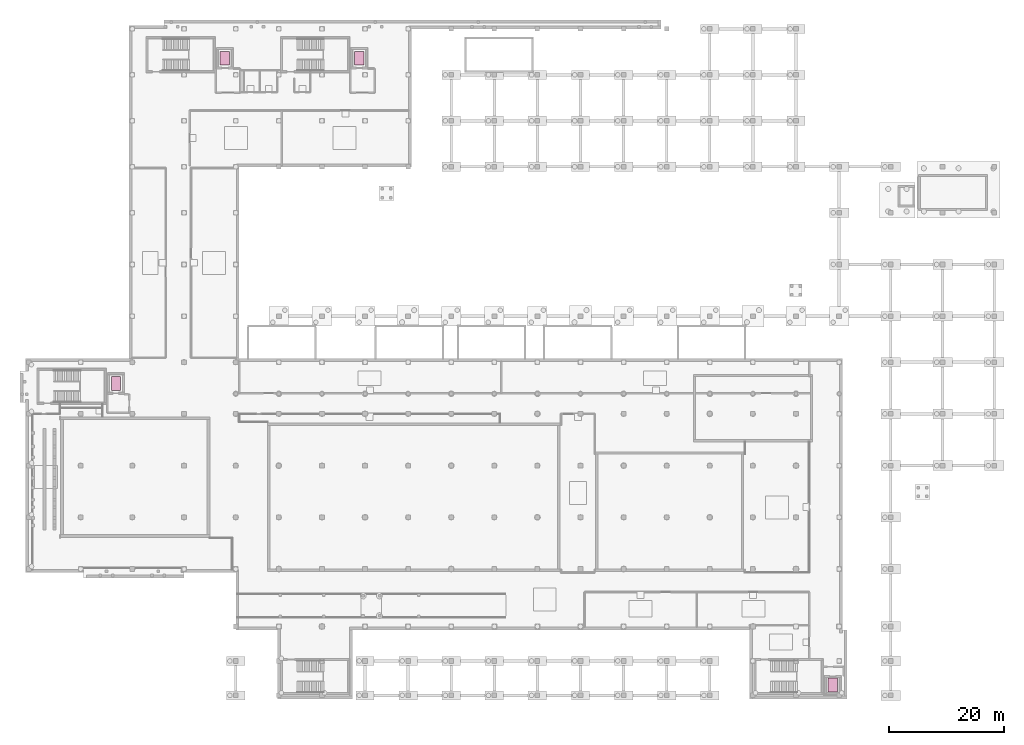
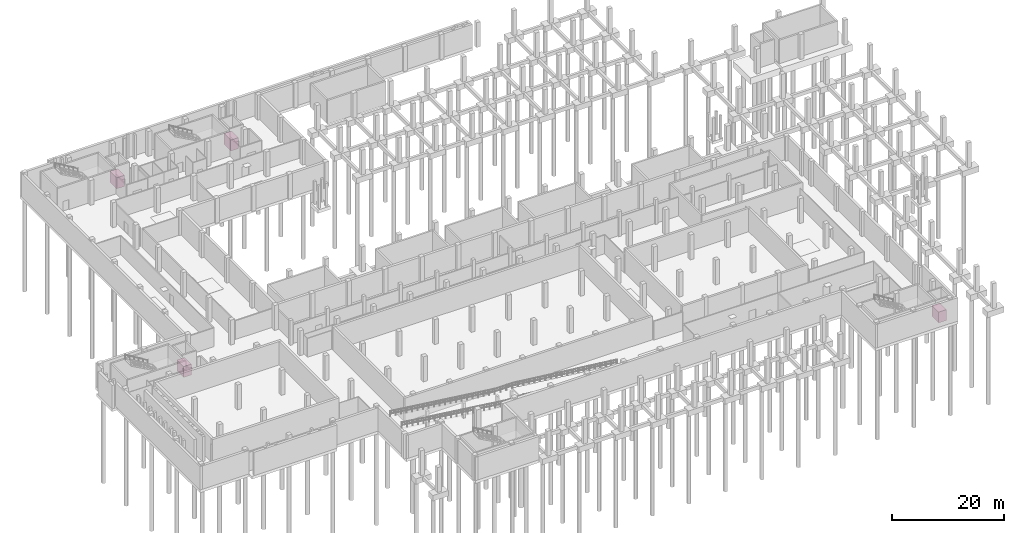
# One storey, part 19 of 19: 4 transport elements.
"""IFC4 building model written with IfcOpenShell, lengths in metres."""

from ifc_helpers import new_model, si_unit, direction, frame, origin, origin_2d, place, context, subcontext, project, spatial, rectangle, extrude, material, type_object, element, save


model = new_model("IFC4")

# Units and contexts
model_context = context("Model", 3, precision=1e-05, world=origin(), true_north=direction((0.0, 1.0)))
body_context = subcontext(model_context, "Body", "Model", "MODEL_VIEW")
ifc_project = project(units=[si_unit("LENGTHUNIT", "METRE"), si_unit("AREAUNIT", "SQUARE_METRE"), si_unit("VOLUMEUNIT", "CUBIC_METRE"), si_unit("PLANEANGLEUNIT", "RADIAN"), si_unit("MASSUNIT", "GRAM", prefix="KILO")], contexts=[model_context])

# Site, building, storey
site_placement = place(None, origin())
site = spatial("IfcSite", under=ifc_project, at=site_placement, CompositionType="ELEMENT")
building_placement = place(site_placement, origin())
building = spatial("IfcBuilding", under=site, at=building_placement, Name="Vourika Railside Aquatics Centre", CompositionType="ELEMENT")
storey_placement = place(building_placement, frame((0.0, 0.0, -5.39990234375)))
storey = spatial("IfcBuildingStorey", under=building, at=storey_placement, Name="B1", CompositionType="ELEMENT", Elevation=-5.39990234375)

# Transport elements
ifc_material = material(Name="Brushed stainless steel elevator car", Category="steel")
transport_element_type_1 = type_object("IfcTransportElementType", Name="LFT-FF-1600x2400", PredefinedType="ELEVATOR", material=ifc_material)
for number, where, z_axis, x_axis, name in (
    (1, (34.10009765625, 110.89990234375, 0.0), (0.0, 0.0, 1.0), (1.0, 0.0, 0.0), "Firefighting and Evacuation Lift LF01"),
    (2, (57.5, 110.89990234375, 0.0), (0.0, 0.0, 1.0), (1.0, 0.0, 0.0), "Firefighting and Evacuation Lift LF02"),
):
    element("IfcTransportElement", number, at=place(storey_placement, frame(where, z_axis=z_axis, x_axis=x_axis)), inside=storey, type_object=transport_element_type_1, Name=name, PredefinedType="ELEVATOR", context=body_context, shape_type="SweptSolid", body=[
        extrude(rectangle(XDim=1.60009765625, YDim=2.39990234375, at=origin_2d()), origin(), (0.0, 0.0, 1.0), 2.39990234375),
    ])
transport_element_type_2 = type_object("IfcTransportElementType", Name="LFT-PAX-1600x2400", PredefinedType="ELEVATOR", material=ifc_material)
for number, where, z_axis, x_axis, name in (
    (3, (15.14990234375, 54.300048828125, -0.000244140625), (0.0, 0.0, 1.0), (1.0, 0.0, 0.0), "Diving Hall Passenger Lift LP02"),
    (4, (139.89990234375, 1.800048828125, -0.000244140625), (0.0, 0.0, 1.0), (1.0, 0.0, 0.0), "Spectator and Changing Lift LP03"),
):
    element("IfcTransportElement", number, at=place(storey_placement, frame(where, z_axis=z_axis, x_axis=x_axis)), inside=storey, type_object=transport_element_type_2, Name=name, PredefinedType="ELEVATOR", context=body_context, shape_type="SweptSolid", body=[
        extrude(rectangle(XDim=1.60009765625, YDim=2.39990234375, at=origin_2d()), origin(), (0.0, 0.0, 1.0), 2.35009765625),
    ])

save(model, "model.ifc")
